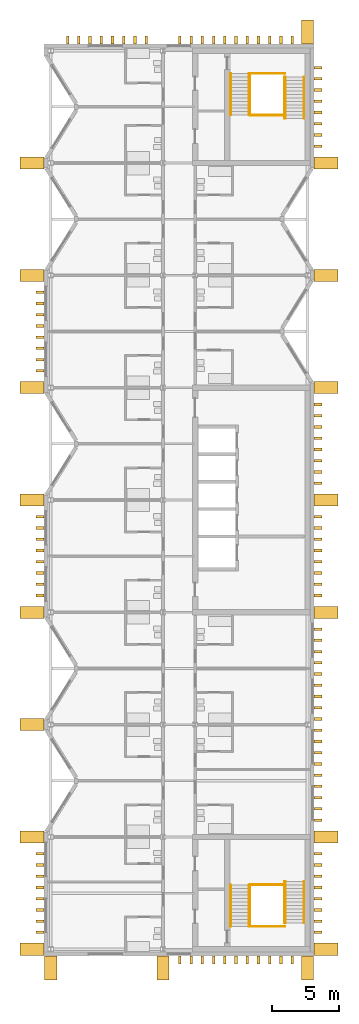
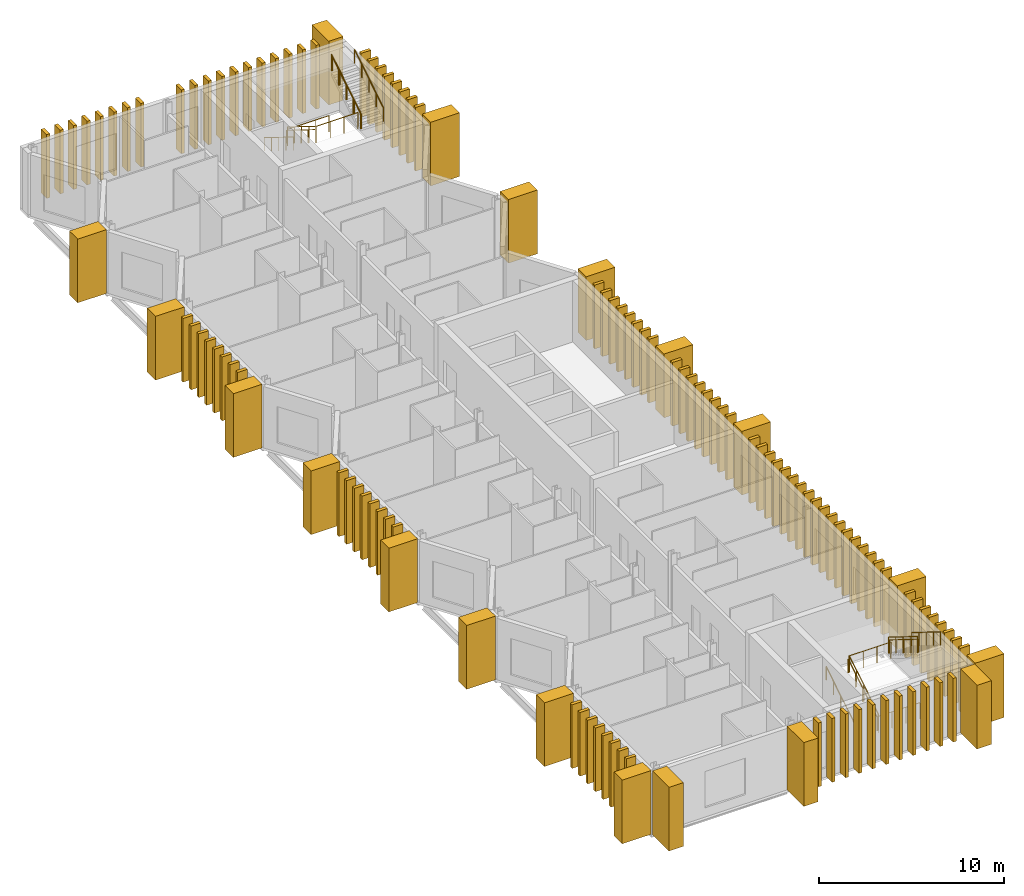
# One storey, part 10 of 11: 123 coverings, 16 railings.
"""IFC4 building model written with IfcOpenShell, lengths in metres."""

from ifc_helpers import new_model, si_unit, direction, frame, origin, origin_2d, place, context, subcontext, project, spatial, rectangle, circle, extrude, material, type_object, element, save


model = new_model("IFC4")

# Units and contexts
model_context = context("Model", 3, precision=1e-05, world=origin(), true_north=direction((0.0, 1.0)))
body_context = subcontext(model_context, "Body", "Model", "MODEL_VIEW")
ifc_project = project(units=[si_unit("LENGTHUNIT", "METRE"), si_unit("AREAUNIT", "SQUARE_METRE"), si_unit("VOLUMEUNIT", "CUBIC_METRE"), si_unit("PLANEANGLEUNIT", "RADIAN"), si_unit("MASSUNIT", "GRAM", prefix="KILO")], contexts=[model_context])

# Site, building, storey
site_placement = place(None, origin())
site = spatial("IfcSite", under=ifc_project, at=site_placement, CompositionType="ELEMENT")
building_placement = place(site_placement, origin())
building = spatial("IfcBuilding", under=site, at=building_placement, Name="Cresset Court Congress Hotel", CompositionType="ELEMENT")
storey_placement = place(building_placement, frame((0.0, 0.0, 39.60009765625)))
storey = spatial("IfcBuildingStorey", under=building, at=storey_placement, Name="L09", CompositionType="ELEMENT", Elevation=39.60009765625)

# Coverings
ifc_material_1 = material(Name="Precast concrete C50", Category="concrete")
covering_type_1 = type_object("IfcCoveringType", Name="Precast stone fin 200x600", PredefinedType="CLADDING", material=ifc_material_1)
for number, where, z_axis, x_axis, name in (
    (1, (177.199951171875, 1.260009765625, 0.0), (0.0, 0.0, 1.0), (1.0, 0.0, 0.0), "Fin E002"),
    (2, (177.199951171875, 2.10009765625, 0.0), (0.0, 0.0, 1.0), (1.0, 0.0, 0.0), "Fin E003"),
    (3, (177.199951171875, 2.93994140625, 0.0), (0.0, 0.0, 1.0), (1.0, 0.0, 0.0), "Fin E004"),
    (4, (177.199951171875, 3.780029296875, 0.0), (0.0, 0.0, 1.0), (1.0, 0.0, 0.0), "Fin E005"),
    (5, (177.199951171875, 4.6201171875, 0.0), (0.0, 0.0, 1.0), (1.0, 0.0, 0.0), "Fin E006"),
    (6, (177.199951171875, 5.4599609375, 0.0), (0.0, 0.0, 1.0), (1.0, 0.0, 0.0), "Fin E007"),
    (7, (177.199951171875, 6.300048828125, 0.0), (0.0, 0.0, 1.0), (1.0, 0.0, 0.0), "Fin E008"),
    (8, (177.199951171875, 7.139892578125, 0.0), (0.0, 0.0, 1.0), (1.0, 0.0, 0.0), "Fin E009"),
    (9, (177.199951171875, 9.659912109375, 0.0), (0.0, 0.0, 1.0), (1.0, 0.0, 0.0), "Fin E012"),
    (10, (177.199951171875, 10.5, 0.0), (0.0, 0.0, 1.0), (1.0, 0.0, 0.0), "Fin E013"),
    (11, (177.199951171875, 11.340087890625, 0.0), (0.0, 0.0, 1.0), (1.0, 0.0, 0.0), "Fin E014"),
    (12, (177.199951171875, 12.179931640625, 0.0), (0.0, 0.0, 1.0), (1.0, 0.0, 0.0), "Fin E015"),
    (13, (177.199951171875, 13.02001953125, 0.0), (0.0, 0.0, 1.0), (1.0, 0.0, 0.0), "Fin E016"),
    (14, (177.199951171875, 13.860107421875, 0.0), (0.0, 0.0, 1.0), (1.0, 0.0, 0.0), "Fin E017"),
    (15, (177.199951171875, 14.699951171875, 0.0), (0.0, 0.0, 1.0), (1.0, 0.0, 0.0), "Fin E018"),
    (16, (177.199951171875, 15.5400390625, 0.0), (0.0, 0.0, 1.0), (1.0, 0.0, 0.0), "Fin E019"),
    (17, (177.199951171875, 16.3798828125, 0.0), (0.0, 0.0, 1.0), (1.0, 0.0, 0.0), "Fin E020"),
    (18, (177.199951171875, 17.219970703125, 0.0), (0.0, 0.0, 1.0), (1.0, 0.0, 0.0), "Fin E021"),
    (19, (177.199951171875, 18.06005859375, 0.0), (0.0, 0.0, 1.0), (1.0, 0.0, 0.0), "Fin E022"),
    (20, (177.199951171875, 18.89990234375, 0.0), (0.0, 0.0, 1.0), (1.0, 0.0, 0.0), "Fin E023"),
    (21, (177.199951171875, 19.739990234375, 0.0), (0.0, 0.0, 1.0), (1.0, 0.0, 0.0), "Fin E024"),
    (22, (177.199951171875, 20.580078125, 0.0), (0.0, 0.0, 1.0), (1.0, 0.0, 0.0), "Fin E025"),
    (23, (177.199951171875, 21.419921875, 0.0), (0.0, 0.0, 1.0), (1.0, 0.0, 0.0), "Fin E026"),
    (24, (177.199951171875, 22.260009765625, 0.0), (0.0, 0.0, 1.0), (1.0, 0.0, 0.0), "Fin E027"),
    (25, (177.199951171875, 23.10009765625, 0.0), (0.0, 0.0, 1.0), (1.0, 0.0, 0.0), "Fin E028"),
    (26, (177.199951171875, 23.93994140625, 0.0), (0.0, 0.0, 1.0), (1.0, 0.0, 0.0), "Fin E029"),
    (27, (177.199951171875, 26.4599609375, 0.0), (0.0, 0.0, 1.0), (1.0, 0.0, 0.0), "Fin E032"),
    (28, (177.199951171875, 27.300048828125, 0.0), (0.0, 0.0, 1.0), (1.0, 0.0, 0.0), "Fin E033"),
    (29, (177.199951171875, 28.139892578125, 0.0), (0.0, 0.0, 1.0), (1.0, 0.0, 0.0), "Fin E034"),
    (30, (177.199951171875, 28.97998046875, 0.0), (0.0, 0.0, 1.0), (1.0, 0.0, 0.0), "Fin E035"),
    (31, (177.199951171875, 29.820068359375, 0.0), (0.0, 0.0, 1.0), (1.0, 0.0, 0.0), "Fin E036"),
    (32, (177.199951171875, 30.659912109375, 0.0), (0.0, 0.0, 1.0), (1.0, 0.0, 0.0), "Fin E037"),
    (33, (177.199951171875, 31.5, 0.0), (0.0, 0.0, 1.0), (1.0, 0.0, 0.0), "Fin E038"),
    (34, (177.199951171875, 32.340087890625, 0.0), (0.0, 0.0, 1.0), (1.0, 0.0, 0.0), "Fin E039"),
    (35, (177.199951171875, 34.860107421875, 0.0), (0.0, 0.0, 1.0), (1.0, 0.0, 0.0), "Fin E042"),
    (36, (177.199951171875, 35.699951171875, 0.0), (0.0, 0.0, 1.0), (1.0, 0.0, 0.0), "Fin E043"),
    (37, (177.199951171875, 36.5400390625, 0.0), (0.0, 0.0, 1.0), (1.0, 0.0, 0.0), "Fin E044"),
    (38, (177.199951171875, 37.3798828125, 0.0), (0.0, 0.0, 1.0), (1.0, 0.0, 0.0), "Fin E045"),
    (39, (177.199951171875, 38.219970703125, 0.0), (0.0, 0.0, 1.0), (1.0, 0.0, 0.0), "Fin E046"),
    (40, (177.199951171875, 39.06005859375, 0.0), (0.0, 0.0, 1.0), (1.0, 0.0, 0.0), "Fin E047"),
    (41, (177.199951171875, 39.89990234375, 0.0), (0.0, 0.0, 1.0), (1.0, 0.0, 0.0), "Fin E048"),
    (42, (177.199951171875, 40.739990234375, 0.0), (0.0, 0.0, 1.0), (1.0, 0.0, 0.0), "Fin E049"),
    (43, (177.199951171875, 60.06005859375, 0.0), (0.0, 0.0, 1.0), (1.0, 0.0, 0.0), "Fin E072"),
    (44, (177.199951171875, 60.89990234375, 0.0), (0.0, 0.0, 1.0), (1.0, 0.0, 0.0), "Fin E073"),
    (45, (177.199951171875, 61.739990234375, 0.0), (0.0, 0.0, 1.0), (1.0, 0.0, 0.0), "Fin E074"),
    (46, (177.199951171875, 62.580078125, 0.0), (0.0, 0.0, 1.0), (1.0, 0.0, 0.0), "Fin E075"),
    (47, (177.199951171875, 63.419921875, 0.0), (0.0, 0.0, 1.0), (1.0, 0.0, 0.0), "Fin E076"),
    (48, (177.199951171875, 64.260009765625, 0.0), (0.0, 0.0, 1.0), (1.0, 0.0, 0.0), "Fin E077"),
    (49, (177.199951171875, 65.10009765625, 0.0), (0.0, 0.0, 1.0), (1.0, 0.0, 0.0), "Fin E078"),
    (50, (177.199951171875, 65.93994140625, 0.0), (0.0, 0.0, 1.0), (1.0, 0.0, 0.0), "Fin E079"),
    (51, (156.39990234375, 1.260009765625, 0.0), (0.0, 0.0, 1.0), (1.0, 0.0, 0.0), "Fin W002"),
    (52, (156.39990234375, 2.10009765625, 0.0), (0.0, 0.0, 1.0), (1.0, 0.0, 0.0), "Fin W003"),
    (53, (156.39990234375, 2.93994140625, 0.0), (0.0, 0.0, 1.0), (1.0, 0.0, 0.0), "Fin W004"),
    (54, (156.39990234375, 3.780029296875, 0.0), (0.0, 0.0, 1.0), (1.0, 0.0, 0.0), "Fin W005"),
    (55, (156.39990234375, 4.6201171875, 0.0), (0.0, 0.0, 1.0), (1.0, 0.0, 0.0), "Fin W006"),
    (56, (156.39990234375, 5.4599609375, 0.0), (0.0, 0.0, 1.0), (1.0, 0.0, 0.0), "Fin W007"),
    (57, (156.39990234375, 6.300048828125, 0.0), (0.0, 0.0, 1.0), (1.0, 0.0, 0.0), "Fin W008"),
    (58, (156.39990234375, 7.139892578125, 0.0), (0.0, 0.0, 1.0), (1.0, 0.0, 0.0), "Fin W009"),
    (59, (156.39990234375, 26.4599609375, 0.0), (0.0, 0.0, 1.0), (1.0, 0.0, 0.0), "Fin W032"),
    (60, (156.39990234375, 27.300048828125, 0.0), (0.0, 0.0, 1.0), (1.0, 0.0, 0.0), "Fin W033"),
    (61, (156.39990234375, 28.139892578125, 0.0), (0.0, 0.0, 1.0), (1.0, 0.0, 0.0), "Fin W034"),
    (62, (156.39990234375, 28.97998046875, 0.0), (0.0, 0.0, 1.0), (1.0, 0.0, 0.0), "Fin W035"),
    (63, (156.39990234375, 29.820068359375, 0.0), (0.0, 0.0, 1.0), (1.0, 0.0, 0.0), "Fin W036"),
    (64, (156.39990234375, 30.659912109375, 0.0), (0.0, 0.0, 1.0), (1.0, 0.0, 0.0), "Fin W037"),
    (65, (156.39990234375, 31.5, 0.0), (0.0, 0.0, 1.0), (1.0, 0.0, 0.0), "Fin W038"),
    (66, (156.39990234375, 32.340087890625, 0.0), (0.0, 0.0, 1.0), (1.0, 0.0, 0.0), "Fin W039"),
    (67, (156.39990234375, 43.260009765625, 0.0), (0.0, 0.0, 1.0), (1.0, 0.0, 0.0), "Fin W052"),
    (68, (156.39990234375, 44.10009765625, 0.0), (0.0, 0.0, 1.0), (1.0, 0.0, 0.0), "Fin W053"),
    (69, (156.39990234375, 44.93994140625, 0.0), (0.0, 0.0, 1.0), (1.0, 0.0, 0.0), "Fin W054"),
    (70, (156.39990234375, 45.780029296875, 0.0), (0.0, 0.0, 1.0), (1.0, 0.0, 0.0), "Fin W055"),
    (71, (156.39990234375, 46.6201171875, 0.0), (0.0, 0.0, 1.0), (1.0, 0.0, 0.0), "Fin W056"),
    (72, (156.39990234375, 47.4599609375, 0.0), (0.0, 0.0, 1.0), (1.0, 0.0, 0.0), "Fin W057"),
    (73, (156.39990234375, 48.300048828125, 0.0), (0.0, 0.0, 1.0), (1.0, 0.0, 0.0), "Fin W058"),
    (74, (156.39990234375, 49.139892578125, 0.0), (0.0, 0.0, 1.0), (1.0, 0.0, 0.0), "Fin W059"),
):
    element("IfcCovering", number, at=place(storey_placement, frame(where, z_axis=z_axis, x_axis=x_axis)), inside=storey, type_object=covering_type_1, Name=name, PredefinedType="CLADDING", context=body_context, shape_type="SweptSolid", body=[
        extrude(rectangle(XDim=0.60009765625, YDim=0.199951171875, at=origin_2d()), origin(), (0.0, 0.0, 1.0), 4.199951171875),
    ])
for number, where, z_axis, x_axis, name in (
    (75, (166.860107421875, -0.800048828125, 0.0), (0.0, 0.0, 1.0), (1.0, 0.0, 0.0), "Fin S012"),
    (76, (167.699951171875, -0.800048828125, 0.0), (0.0, 0.0, 1.0), (1.0, 0.0, 0.0), "Fin S013"),
    (77, (168.5400390625, -0.800048828125, 0.0), (0.0, 0.0, 1.0), (1.0, 0.0, 0.0), "Fin S014"),
    (78, (169.3798828125, -0.800048828125, 0.0), (0.0, 0.0, 1.0), (1.0, 0.0, 0.0), "Fin S015"),
    (79, (170.219970703125, -0.800048828125, 0.0), (0.0, 0.0, 1.0), (1.0, 0.0, 0.0), "Fin S016"),
    (80, (171.06005859375, -0.800048828125, 0.0), (0.0, 0.0, 1.0), (1.0, 0.0, 0.0), "Fin S017"),
    (81, (171.89990234375, -0.800048828125, 0.0), (0.0, 0.0, 1.0), (1.0, 0.0, 0.0), "Fin S018"),
    (82, (172.739990234375, -0.800048828125, 0.0), (0.0, 0.0, 1.0), (1.0, 0.0, 0.0), "Fin S019"),
    (83, (173.580078125, -0.800048828125, 0.0), (0.0, 0.0, 1.0), (1.0, 0.0, 0.0), "Fin S020"),
    (84, (174.419921875, -0.800048828125, 0.0), (0.0, 0.0, 1.0), (1.0, 0.0, 0.0), "Fin S021"),
    (85, (175.260009765625, -0.800048828125, 0.0), (0.0, 0.0, 1.0), (1.0, 0.0, 0.0), "Fin S022"),
    (86, (158.4599609375, 68.0, 0.0), (0.0, 0.0, 1.0), (1.0, 0.0, 0.0), "Fin N002"),
    (87, (159.300048828125, 68.0, 0.0), (0.0, 0.0, 1.0), (1.0, 0.0, 0.0), "Fin N003"),
    (88, (160.139892578125, 68.0, 0.0), (0.0, 0.0, 1.0), (1.0, 0.0, 0.0), "Fin N004"),
    (89, (160.97998046875, 68.0, 0.0), (0.0, 0.0, 1.0), (1.0, 0.0, 0.0), "Fin N005"),
    (90, (161.820068359375, 68.0, 0.0), (0.0, 0.0, 1.0), (1.0, 0.0, 0.0), "Fin N006"),
    (91, (162.659912109375, 68.0, 0.0), (0.0, 0.0, 1.0), (1.0, 0.0, 0.0), "Fin N007"),
    (92, (163.5, 68.0, 0.0), (0.0, 0.0, 1.0), (1.0, 0.0, 0.0), "Fin N008"),
    (93, (164.340087890625, 68.0, 0.0), (0.0, 0.0, 1.0), (1.0, 0.0, 0.0), "Fin N009"),
    (94, (166.860107421875, 68.0, 0.0), (0.0, 0.0, 1.0), (1.0, 0.0, 0.0), "Fin N012"),
    (95, (167.699951171875, 68.0, 0.0), (0.0, 0.0, 1.0), (1.0, 0.0, 0.0), "Fin N013"),
    (96, (168.5400390625, 68.0, 0.0), (0.0, 0.0, 1.0), (1.0, 0.0, 0.0), "Fin N014"),
    (97, (169.3798828125, 68.0, 0.0), (0.0, 0.0, 1.0), (1.0, 0.0, 0.0), "Fin N015"),
    (98, (170.219970703125, 68.0, 0.0), (0.0, 0.0, 1.0), (1.0, 0.0, 0.0), "Fin N016"),
    (99, (171.06005859375, 68.0, 0.0), (0.0, 0.0, 1.0), (1.0, 0.0, 0.0), "Fin N017"),
    (100, (171.89990234375, 68.0, 0.0), (0.0, 0.0, 1.0), (1.0, 0.0, 0.0), "Fin N018"),
    (101, (172.739990234375, 68.0, 0.0), (0.0, 0.0, 1.0), (1.0, 0.0, 0.0), "Fin N019"),
    (102, (173.580078125, 68.0, 0.0), (0.0, 0.0, 1.0), (1.0, 0.0, 0.0), "Fin N020"),
    (103, (174.419921875, 68.0, 0.0), (0.0, 0.0, 1.0), (1.0, 0.0, 0.0), "Fin N021"),
    (104, (175.260009765625, 68.0, 0.0), (0.0, 0.0, 1.0), (1.0, 0.0, 0.0), "Fin N022"),
):
    element("IfcCovering", number, at=place(storey_placement, frame(where, z_axis=z_axis, x_axis=x_axis)), inside=storey, type_object=covering_type_1, Name=name, PredefinedType="CLADDING", context=body_context, shape_type="SweptSolid", body=[
        extrude(rectangle(XDim=0.199951171875, YDim=0.60009765625, at=origin_2d()), origin(), (0.0, 0.0, 1.0), 4.199951171875),
    ])
ifc_material_2 = material(Name="Precast concrete C50", Category="concrete")
covering_type_2 = type_object("IfcCoveringType", Name="Precast stone pier 900x1800", PredefinedType="CLADDING", material=ifc_material_2)
for number, where, z_axis, x_axis, name in (
    (105, (177.800048828125, 0.0, 0.0), (0.0, 0.0, 1.0), (1.0, 0.0, 0.0), "Pier E01"),
    (106, (177.800048828125, 8.39990234375, 0.0), (0.0, 0.0, 1.0), (1.0, 0.0, 0.0), "Pier E02"),
    (107, (177.800048828125, 25.199951171875, 0.0), (0.0, 0.0, 1.0), (1.0, 0.0, 0.0), "Pier E03"),
    (108, (177.800048828125, 33.60009765625, 0.0), (0.0, 0.0, 1.0), (1.0, 0.0, 0.0), "Pier E04"),
    (109, (177.800048828125, 42.0, 0.0), (0.0, 0.0, 1.0), (1.0, 0.0, 0.0), "Pier E05"),
    (110, (177.800048828125, 50.39990234375, 0.0), (0.0, 0.0, 1.0), (1.0, 0.0, 0.0), "Pier E06"),
    (111, (177.800048828125, 58.800048828125, 0.0), (0.0, 0.0, 1.0), (1.0, 0.0, 0.0), "Pier E07"),
    (112, (155.800048828125, 0.0, 0.0), (0.0, 0.0, 1.0), (1.0, 0.0, 0.0), "Pier W01"),
    (113, (155.800048828125, 8.39990234375, 0.0), (0.0, 0.0, 1.0), (1.0, 0.0, 0.0), "Pier W02"),
    (114, (155.800048828125, 16.800048828125, 0.0), (0.0, 0.0, 1.0), (1.0, 0.0, 0.0), "Pier W03"),
    (115, (155.800048828125, 25.199951171875, 0.0), (0.0, 0.0, 1.0), (1.0, 0.0, 0.0), "Pier W04"),
    (116, (155.800048828125, 33.60009765625, 0.0), (0.0, 0.0, 1.0), (1.0, 0.0, 0.0), "Pier W05"),
    (117, (155.800048828125, 42.0, 0.0), (0.0, 0.0, 1.0), (1.0, 0.0, 0.0), "Pier W06"),
    (118, (155.800048828125, 50.39990234375, 0.0), (0.0, 0.0, 1.0), (1.0, 0.0, 0.0), "Pier W07"),
    (119, (155.800048828125, 58.800048828125, 0.0), (0.0, 0.0, 1.0), (1.0, 0.0, 0.0), "Pier W08"),
):
    element("IfcCovering", number, at=place(storey_placement, frame(where, z_axis=z_axis, x_axis=x_axis)), inside=storey, type_object=covering_type_2, Name=name, PredefinedType="CLADDING", context=body_context, shape_type="SweptSolid", body=[
        extrude(rectangle(XDim=1.800048828125, YDim=0.89990234375, at=origin_2d()), origin(), (0.0, 0.0, 1.0), 4.199951171875),
    ])
for number, where, z_axis, x_axis, name in (
    (120, (157.199951171875, -1.39990234375, 0.0), (0.0, 0.0, 1.0), (1.0, 0.0, 0.0), "Pier S01"),
    (121, (165.60009765625, -1.39990234375, 0.0), (0.0, 0.0, 1.0), (1.0, 0.0, 0.0), "Pier S02"),
    (122, (176.39990234375, -1.39990234375, 0.0), (0.0, 0.0, 1.0), (1.0, 0.0, 0.0), "Pier S03"),
    (123, (176.39990234375, 68.60009765625, 0.0), (0.0, 0.0, 1.0), (1.0, 0.0, 0.0), "Pier N03"),
):
    element("IfcCovering", number, at=place(storey_placement, frame(where, z_axis=z_axis, x_axis=x_axis)), inside=storey, type_object=covering_type_2, Name=name, PredefinedType="CLADDING", context=body_context, shape_type="SweptSolid", body=[
        extrude(rectangle(XDim=0.89990234375, YDim=1.800048828125, at=origin_2d()), origin(), (0.0, 0.0, 1.0), 4.199951171875),
    ])

# Railings
ifc_material_3 = material(Name="Stainless steel", Category="steel")
railing_type_1 = type_object("IfcRailingType", Name="Stair guard 1100", PredefinedType="GUARDRAIL", material=ifc_material_3)
railing_1_placement = place(storey_placement, frame((172.10009765625, 1.699951171875, 0.161376953125)))
element("IfcRailing", 124, at=railing_1_placement, inside=storey, type_object=railing_type_1, Name="Guard A1 L09", PredefinedType="GUARDRAIL", context=body_context, shape_type="SweptSolid", body=[
    extrude(circle(Radius=0.02392578125, at=origin_2d()), frame((0.0, 0.0, 1.076171875), z_axis=(0.0, 0.849414166554, 0.527726798313), x_axis=(-1.0, 0.0, 0.0)), (0.0, 0.0, 1.0), 3.67333984375),
    extrude(circle(Radius=0.02099609375, at=origin_2d()), origin(), (0.0, 0.0, 1.0), 1.052001953125),
    extrude(circle(Radius=0.02099609375, at=origin_2d()), frame((0.0, 0.780029296875, 0.484619140625)), (0.0, 0.0, 1.0), 1.052001953125),
    extrude(circle(Radius=0.02099609375, at=origin_2d()), frame((0.0, 1.56005859375, 0.96923828125)), (0.0, 0.0, 1.0), 1.052001953125),
    extrude(circle(Radius=0.02099609375, at=origin_2d()), frame((0.0, 2.340087890625, 1.453857421875)), (0.0, 0.0, 1.0), 1.052001953125),
    extrude(circle(Radius=0.02099609375, at=origin_2d()), frame((0.0, 3.1201171875, 1.9384765625)), (0.0, 0.0, 1.0), 1.052001953125),
])
railing_2_placement = place(storey_placement, frame((174.699951171875, 5.080078125, 2.261474609375)))
element("IfcRailing", 125, at=railing_2_placement, inside=storey, type_object=railing_type_1, Name="Guard A1 L09", PredefinedType="GUARDRAIL", context=body_context, shape_type="SweptSolid", body=[
    extrude(circle(Radius=0.02392578125, at=origin_2d()), frame((0.0, 0.0, 1.076171875), z_axis=(0.0, -0.849414166554, 0.527726798313), x_axis=(1.0, 0.0, 0.0)), (0.0, 0.0, 1.0), 3.67333984375),
    extrude(circle(Radius=0.02099609375, at=origin_2d()), origin(), (0.0, 0.0, 1.0), 1.052001953125),
    extrude(circle(Radius=0.02099609375, at=origin_2d()), frame((0.0, -0.780029296875, 0.484619140625)), (0.0, 0.0, 1.0), 1.052001953125),
    extrude(circle(Radius=0.02099609375, at=origin_2d()), frame((0.0, -1.56005859375, 0.96923828125)), (0.0, 0.0, 1.0), 1.052001953125),
    extrude(circle(Radius=0.02099609375, at=origin_2d()), frame((0.0, -2.340087890625, 1.453857421875)), (0.0, 0.0, 1.0), 1.052001953125),
    extrude(circle(Radius=0.02099609375, at=origin_2d()), frame((0.0, -3.1201171875, 1.9384765625)), (0.0, 0.0, 1.0), 1.052001953125),
])
for number, where, name in (
    (126, (172.10009765625, 1.699951171875, 0.0), "Guard A1 L09"),
    (127, (172.10009765625, 4.820068359375, 2.099853515625), "Guard A1 L09"),
):
    element("IfcRailing", number, at=place(storey_placement, frame(where)), inside=storey, type_object=railing_type_1, Name=name, PredefinedType="GUARDRAIL", context=body_context, shape_type="SweptSolid", body=[
        extrude(circle(Radius=0.02392578125, at=origin_2d()), frame((0.0, 0.0, 1.076171875), z_axis=(1.0, 0.0, 0.0), x_axis=(0.0, 1.0, 0.0)), (0.0, 0.0, 1.0), 2.599853515625),
        extrude(circle(Radius=0.02099609375, at=origin_2d()), origin(), (0.0, 0.0, 1.0), 1.052001953125),
        extrude(circle(Radius=0.02099609375, at=origin_2d()), frame((0.86669921875, 0.0, 0.0)), (0.0, 0.0, 1.0), 1.052001953125),
        extrude(circle(Radius=0.02099609375, at=origin_2d()), frame((1.733154296875, 0.0, 0.0)), (0.0, 0.0, 1.0), 1.052001953125),
        extrude(circle(Radius=0.02099609375, at=origin_2d()), frame((2.599853515625, 0.0, 0.0)), (0.0, 0.0, 1.0), 1.052001953125),
    ])
railing_3_placement = place(storey_placement, frame((172.10009765625, 65.5, 0.161376953125)))
element("IfcRailing", 128, at=railing_3_placement, inside=storey, type_object=railing_type_1, Name="Guard A2 L09", PredefinedType="GUARDRAIL", context=body_context, shape_type="SweptSolid", body=[
    extrude(circle(Radius=0.02392578125, at=origin_2d()), frame((0.0, 0.0, 1.076171875), z_axis=(0.0, -0.849414166554, 0.527726798313), x_axis=(1.0, 0.0, 0.0)), (0.0, 0.0, 1.0), 3.67333984375),
    extrude(circle(Radius=0.02099609375, at=origin_2d()), origin(), (0.0, 0.0, 1.0), 1.052001953125),
    extrude(circle(Radius=0.02099609375, at=origin_2d()), frame((0.0, -0.780029296875, 0.484619140625)), (0.0, 0.0, 1.0), 1.052001953125),
    extrude(circle(Radius=0.02099609375, at=origin_2d()), frame((0.0, -1.56005859375, 0.96923828125)), (0.0, 0.0, 1.0), 1.052001953125),
    extrude(circle(Radius=0.02099609375, at=origin_2d()), frame((0.0, -2.340087890625, 1.453857421875)), (0.0, 0.0, 1.0), 1.052001953125),
    extrude(circle(Radius=0.02099609375, at=origin_2d()), frame((0.0, -3.1201171875, 1.9384765625)), (0.0, 0.0, 1.0), 1.052001953125),
])
railing_4_placement = place(storey_placement, frame((174.699951171875, 62.1201171875, 2.261474609375)))
element("IfcRailing", 129, at=railing_4_placement, inside=storey, type_object=railing_type_1, Name="Guard A2 L09", PredefinedType="GUARDRAIL", context=body_context, shape_type="SweptSolid", body=[
    extrude(circle(Radius=0.02392578125, at=origin_2d()), frame((0.0, 0.0, 1.076171875), z_axis=(0.0, 0.849395654964, 0.52775659288), x_axis=(-1.0, 0.0, 0.0)), (0.0, 0.0, 1.0), 3.673095703125),
    extrude(circle(Radius=0.02099609375, at=origin_2d()), origin(), (0.0, 0.0, 1.0), 1.052001953125),
    extrude(circle(Radius=0.02099609375, at=origin_2d()), frame((0.0, 0.780029296875, 0.484619140625)), (0.0, 0.0, 1.0), 1.052001953125),
    extrude(circle(Radius=0.02099609375, at=origin_2d()), frame((0.0, 1.56005859375, 0.96923828125)), (0.0, 0.0, 1.0), 1.052001953125),
    extrude(circle(Radius=0.02099609375, at=origin_2d()), frame((0.0, 2.33984375, 1.453857421875)), (0.0, 0.0, 1.0), 1.052001953125),
    extrude(circle(Radius=0.02099609375, at=origin_2d()), frame((0.0, 3.119873046875, 1.9384765625)), (0.0, 0.0, 1.0), 1.052001953125),
])
for number, where, name in (
    (130, (172.10009765625, 65.5, 0.0), "Guard A2 L09"),
    (131, (172.10009765625, 62.3798828125, 2.099853515625), "Guard A2 L09"),
):
    element("IfcRailing", number, at=place(storey_placement, frame(where)), inside=storey, type_object=railing_type_1, Name=name, PredefinedType="GUARDRAIL", context=body_context, shape_type="SweptSolid", body=[
        extrude(circle(Radius=0.02392578125, at=origin_2d()), frame((0.0, 0.0, 1.076171875), z_axis=(1.0, 0.0, 0.0), x_axis=(0.0, 1.0, 0.0)), (0.0, 0.0, 1.0), 2.599853515625),
        extrude(circle(Radius=0.02099609375, at=origin_2d()), origin(), (0.0, 0.0, 1.0), 1.052001953125),
        extrude(circle(Radius=0.02099609375, at=origin_2d()), frame((0.86669921875, 0.0, 0.0)), (0.0, 0.0, 1.0), 1.052001953125),
        extrude(circle(Radius=0.02099609375, at=origin_2d()), frame((1.733154296875, 0.0, 0.0)), (0.0, 0.0, 1.0), 1.052001953125),
        extrude(circle(Radius=0.02099609375, at=origin_2d()), frame((2.599853515625, 0.0, 0.0)), (0.0, 0.0, 1.0), 1.052001953125),
    ])
ifc_material_4 = material(Name="Stainless steel", Category="steel")
railing_type_2 = type_object("IfcRailingType", Name="Stair handrail 900", PredefinedType="HANDRAIL", material=ifc_material_4)
for number, where, name in (
    (132, (170.659912109375, 1.699951171875, 0.161376953125), "Handrail A1 L09"),
    (133, (172.0400390625, 1.699951171875, 0.161376953125), "Handrail A1 L09"),
):
    element("IfcRailing", number, at=place(storey_placement, frame(where)), inside=storey, type_object=railing_type_2, Name=name, PredefinedType="HANDRAIL", context=body_context, shape_type="SweptSolid", body=[
        extrude(circle(Radius=0.02392578125, at=origin_2d()), frame((0.0, 0.0, 0.8759765625), z_axis=(0.0, 0.849414166554, 0.527726798313), x_axis=(-1.0, 0.0, 0.0)), (0.0, 0.0, 1.0), 3.67333984375),
        extrude(circle(Radius=0.02099609375, at=origin_2d()), origin(), (0.0, 0.0, 1.0), 0.851806640625),
        extrude(circle(Radius=0.02099609375, at=origin_2d()), frame((0.0, 0.780029296875, 0.484619140625)), (0.0, 0.0, 1.0), 0.851806640625),
        extrude(circle(Radius=0.02099609375, at=origin_2d()), frame((0.0, 1.56005859375, 0.96923828125)), (0.0, 0.0, 1.0), 0.851806640625),
        extrude(circle(Radius=0.02099609375, at=origin_2d()), frame((0.0, 2.340087890625, 1.453857421875)), (0.0, 0.0, 1.0), 0.851806640625),
        extrude(circle(Radius=0.02099609375, at=origin_2d()), frame((0.0, 3.1201171875, 1.9384765625)), (0.0, 0.0, 1.0), 0.851806640625),
    ])
for number, where, name in (
    (134, (174.760009765625, 5.080078125, 2.261474609375), "Handrail A1 L09"),
    (135, (176.139892578125, 5.080078125, 2.261474609375), "Handrail A1 L09"),
    (136, (170.659912109375, 65.5, 0.161376953125), "Handrail A2 L09"),
    (137, (172.0400390625, 65.5, 0.161376953125), "Handrail A2 L09"),
):
    element("IfcRailing", number, at=place(storey_placement, frame(where)), inside=storey, type_object=railing_type_2, Name=name, PredefinedType="HANDRAIL", context=body_context, shape_type="SweptSolid", body=[
        extrude(circle(Radius=0.02392578125, at=origin_2d()), frame((0.0, 0.0, 0.8759765625), z_axis=(0.0, -0.849414166554, 0.527726798313), x_axis=(1.0, 0.0, 0.0)), (0.0, 0.0, 1.0), 3.67333984375),
        extrude(circle(Radius=0.02099609375, at=origin_2d()), origin(), (0.0, 0.0, 1.0), 0.851806640625),
        extrude(circle(Radius=0.02099609375, at=origin_2d()), frame((0.0, -0.780029296875, 0.484619140625)), (0.0, 0.0, 1.0), 0.851806640625),
        extrude(circle(Radius=0.02099609375, at=origin_2d()), frame((0.0, -1.56005859375, 0.96923828125)), (0.0, 0.0, 1.0), 0.851806640625),
        extrude(circle(Radius=0.02099609375, at=origin_2d()), frame((0.0, -2.340087890625, 1.453857421875)), (0.0, 0.0, 1.0), 0.851806640625),
        extrude(circle(Radius=0.02099609375, at=origin_2d()), frame((0.0, -3.1201171875, 1.9384765625)), (0.0, 0.0, 1.0), 0.851806640625),
    ])
for number, where, name in (
    (138, (174.760009765625, 62.1201171875, 2.261474609375), "Handrail A2 L09"),
    (139, (176.139892578125, 62.1201171875, 2.261474609375), "Handrail A2 L09"),
):
    element("IfcRailing", number, at=place(storey_placement, frame(where)), inside=storey, type_object=railing_type_2, Name=name, PredefinedType="HANDRAIL", context=body_context, shape_type="SweptSolid", body=[
        extrude(circle(Radius=0.02392578125, at=origin_2d()), frame((0.0, 0.0, 0.8759765625), z_axis=(0.0, 0.849395654964, 0.52775659288), x_axis=(-1.0, 0.0, 0.0)), (0.0, 0.0, 1.0), 3.673095703125),
        extrude(circle(Radius=0.02099609375, at=origin_2d()), origin(), (0.0, 0.0, 1.0), 0.851806640625),
        extrude(circle(Radius=0.02099609375, at=origin_2d()), frame((0.0, 0.780029296875, 0.484619140625)), (0.0, 0.0, 1.0), 0.851806640625),
        extrude(circle(Radius=0.02099609375, at=origin_2d()), frame((0.0, 1.56005859375, 0.96923828125)), (0.0, 0.0, 1.0), 0.851806640625),
        extrude(circle(Radius=0.02099609375, at=origin_2d()), frame((0.0, 2.33984375, 1.453857421875)), (0.0, 0.0, 1.0), 0.851806640625),
        extrude(circle(Radius=0.02099609375, at=origin_2d()), frame((0.0, 3.119873046875, 1.9384765625)), (0.0, 0.0, 1.0), 0.851806640625),
    ])

save(model, "model.ifc")
